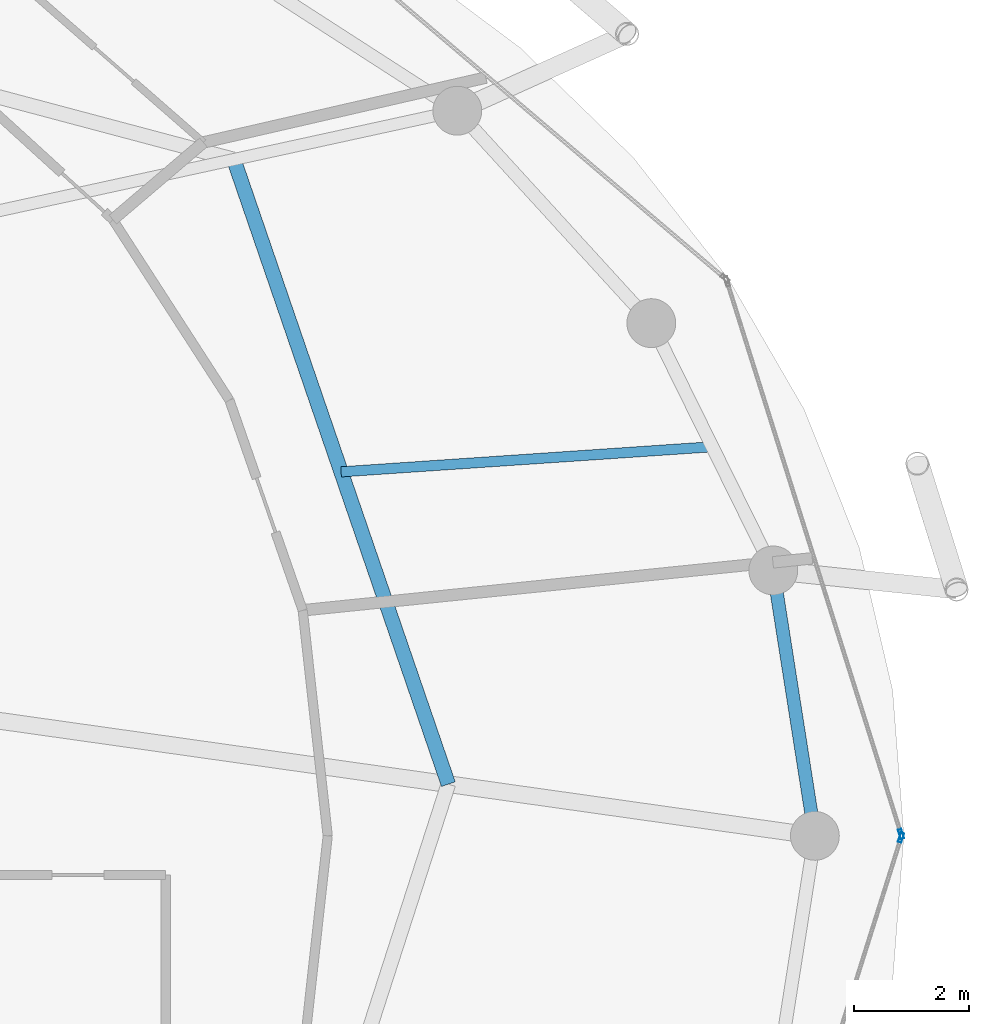
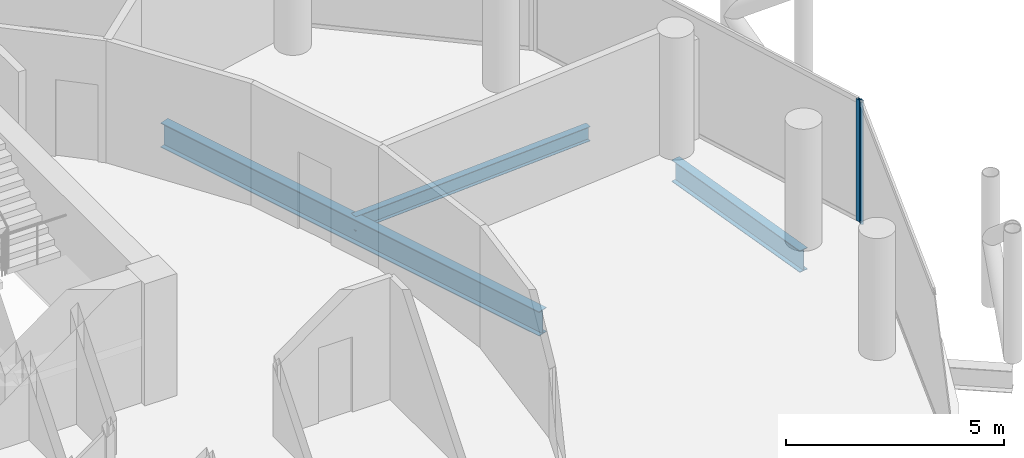
# One storey, part 15 of 27: 3 beams, 2 members, 2 elements without a shape of their own.
"""IFC4 building model written with IfcOpenShell, lengths in metres."""

import ifcopenshell
import ifcopenshell.guid

model = None  # the IFC model being written
_history = None  # IfcOwnerHistory: only IFC2X3 demands one
_inside = {}  # id of a spatial element -> (the spatial element, [elements in it])
_under = {}  # id of a project, library or spatial element -> (it, [spatial elements below it])
_declared = {}  # id of a project -> (the project, [libraries it declares])
_typed = {}  # id of a type object -> (the type object, [elements of that type])
_made_of = {}  # id of a material, layer set ... -> (it, [elements and type objects made of it])


def new_model(schema):
    """Start an empty IFC model of exactly this schema.

    Asked for "IFC4X3", IfcOpenShell would pick the latest addendum, in which some entities
    have other attributes; the version numbers below select the first issue.
    IFC2X3 requires an IfcOwnerHistory on every rooted entity: one is made here for all.
    """
    global model, _history
    if schema == "IFC4X3":
        model = ifcopenshell.file(schema_version=(4, 3, 0, 0))
    else:
        model = ifcopenshell.file(schema=schema)
    _inside.clear()
    _under.clear()
    _declared.clear()
    _typed.clear()
    _made_of.clear()
    _history = None
    if model.schema == "IFC2X3":
        org = make("IfcOrganization", Name="unknown")
        user = make(
            "IfcPersonAndOrganization",
            ThePerson=make("IfcPerson", FamilyName="unknown"),
            TheOrganization=org,
        )
        app = make(
            "IfcApplication",
            ApplicationDeveloper=org,
            Version="unknown",
            ApplicationFullName="unknown",
            ApplicationIdentifier="unknown",
        )
        _history = make(
            "IfcOwnerHistory",
            OwningUser=user,
            OwningApplication=app,
            ChangeAction="ADDED",
            CreationDate=0,
        )
    return model


def make(cls, **values):
    """One entity of the class cls with the attributes given. An attribute that is None is left unset."""
    return model.create_entity(
        cls, **{name: value for name, value in values.items() if value is not None}
    )


def rooted(cls, **values):
    """An entity with a GlobalId (a new one), such as an element, a storey or a relation."""
    return make(cls, GlobalId=ifcopenshell.guid.new(), OwnerHistory=_history, **values)


def si_unit(unit_type, name, prefix=None):
    """IfcSIUnit, for example si_unit("LENGTHUNIT", "METRE", prefix="MILLI")."""
    return make("IfcSIUnit", UnitType=unit_type, Prefix=prefix, Name=name)


def assignment(units):
    """IfcUnitAssignment: the units of a project."""
    return None if units is None else make("IfcUnitAssignment", Units=units)


def point(xyz):
    """IfcCartesianPoint."""
    return None if xyz is None else make("IfcCartesianPoint", Coordinates=xyz)


def direction(xyz):
    """IfcDirection."""
    return None if xyz is None else make("IfcDirection", DirectionRatios=xyz)


def frame(location, z_axis=None, x_axis=None):
    """IfcAxis2Placement3D, a coordinate frame: its origin and axes. An axis left out is left unset."""
    return make(
        "IfcAxis2Placement3D",
        Location=point(location),
        Axis=direction(z_axis),
        RefDirection=direction(x_axis),
    )


def frame_2d(location, x_axis=None):
    """IfcAxis2Placement2D, a coordinate frame in the plane: its origin and x axis."""
    return make(
        "IfcAxis2Placement2D", Location=point(location), RefDirection=direction(x_axis)
    )


def origin():
    """The frame at (0, 0, 0) with its axes left unset."""
    return frame((0.0, 0.0, 0.0))


def origin_2d():
    """The frame at (0, 0) in the plane with its x axis left unset."""
    return frame_2d((0.0, 0.0))


def place(relative_to, where):
    """IfcLocalPlacement: puts the frame where relative to a parent placement (None: the world)."""
    return make(
        "IfcLocalPlacement", PlacementRelTo=relative_to, RelativePlacement=where
    )


def context(
    kind, dimensions, precision=None, world=None, true_north=None, identifier=None
):
    """IfcGeometricRepresentationContext, for example the 3D "Model" context."""
    return make(
        "IfcGeometricRepresentationContext",
        ContextIdentifier=identifier,
        ContextType=kind,
        CoordinateSpaceDimension=dimensions,
        Precision=precision,
        WorldCoordinateSystem=world,
        TrueNorth=true_north,
    )


def subcontext(parent, identifier, kind, view, scale=None):
    """IfcGeometricRepresentationSubContext, for example "Body" below "Model"."""
    return make(
        "IfcGeometricRepresentationSubContext",
        ContextIdentifier=identifier,
        ContextType=kind,
        ParentContext=parent,
        TargetScale=scale,
        TargetView=view,
    )


def project(units=None, contexts=None):
    """IfcProject with its units and contexts."""
    return rooted(
        "IfcProject",
        Name="project",
        RepresentationContexts=contexts,
        UnitsInContext=assignment(units),
    )


def spatial(cls, under=None, at=None, **own):
    """A site, building, storey or space (cls), placed at a placement, below another one or the project."""
    s = rooted(cls, ObjectPlacement=at, **own)
    if under is not None:
        _under.setdefault(under.id(), (under, []))[1].append(s)
    return s


def profile(cls, at=None, kind="AREA", **sizes):
    """A parametric profile (cls). Its sizes go by their IFC names, for example OverallWidth=200.0."""
    return make(cls, ProfileType=kind, Position=at, **sizes)


def hollow_rectangle(**sizes):
    """IfcRectangleHollowProfileDef."""
    return profile("IfcRectangleHollowProfileDef", **sizes)


def i_section(**sizes):
    """IfcIShapeProfileDef."""
    return profile("IfcIShapeProfileDef", **sizes)


def extrude(swept, where, along, depth):
    """IfcExtrudedAreaSolid: the profile swept, set in the frame where, extruded along a direction by depth."""
    return make(
        "IfcExtrudedAreaSolid",
        SweptArea=swept,
        Position=where,
        ExtrudedDirection=direction(along),
        Depth=depth,
    )


def shape(context_of_items, identifier, shape_type, items):
    """IfcShapeRepresentation: the items that make up one representation, for example the "Body"."""
    return make(
        "IfcShapeRepresentation",
        ContextOfItems=context_of_items,
        RepresentationIdentifier=identifier,
        RepresentationType=shape_type,
        Items=items,
    )


def material(Name=None, Category=None):
    """IfcMaterial."""
    return make("IfcMaterial", Name=Name, Category=Category)


def layer(
    of_material, thickness, ventilated=None, Name=None, Category=None, Priority=None
):
    """IfcMaterialLayer: one layer of a wall or slab, of a material (None: an air gap)."""
    return make(
        "IfcMaterialLayer",
        Material=of_material,
        LayerThickness=thickness,
        IsVentilated=ventilated,
        Name=Name,
        Category=Category,
        Priority=Priority,
    )


def layer_set(layers, Name=None):
    """IfcMaterialLayerSet."""
    return make("IfcMaterialLayerSet", MaterialLayers=layers, LayerSetName=Name)


def material_profile(
    of_material, cross_section, Name=None, Category=None, Priority=None
):
    """IfcMaterialProfile: a cross section and its material."""
    return make(
        "IfcMaterialProfile",
        Name=Name,
        Material=of_material,
        Profile=cross_section,
        Priority=Priority,
        Category=Category,
    )


def profile_set(profiles, Name=None, composite=None):
    """IfcMaterialProfileSet."""
    return make(
        "IfcMaterialProfileSet",
        Name=Name,
        MaterialProfiles=profiles,
        CompositeProfile=composite,
    )


def made_of(thing, what):
    """Note that an element or type object is made of a material, layer set ...; save() writes the relation."""
    if what is not None:
        _made_of.setdefault(what.id(), (what, []))[1].append(thing)
    return thing


def type_object(cls, material=None, **own):
    """A type object (cls), such as IfcWallType, which elements share."""
    return made_of(rooted(cls, **own), material)


def element(
    cls,
    number,
    at=None,
    inside=None,
    cuts=None,
    type_object=None,
    material=None,
    context=None,
    identifier="Body",
    shape_type=None,
    held_by="IfcProductDefinitionShape",
    body=None,
    shapes=None,
    **own,
):
    """One element of the class cls, such as IfcWall. Its Tag is "e" and its number.

    at: its placement. inside: the storey or other place that contains it. cuts: it is an
    opening in that element (IfcRelVoidsElement). A single representation is given by context,
    identifier, shape_type and body (its items); several are given by shapes. held_by: the class
    of the entity that holds the representations. save() writes the other relations.
    """
    e = rooted(cls, Tag="e%d" % number, ObjectPlacement=at, **own)
    if body is not None:
        shapes = [shape(context, identifier, shape_type, body)]
    if shapes is not None:
        e.Representation = make(held_by, Representations=shapes)
    if inside is not None:
        _inside.setdefault(inside.id(), (inside, []))[1].append(e)
    if cuts is not None:
        rooted(
            "IfcRelVoidsElement", RelatingBuildingElement=cuts, RelatedOpeningElement=e
        )
    if type_object is not None:
        _typed.setdefault(type_object.id(), (type_object, []))[1].append(e)
    return made_of(e, material)


def aggregate(whole, parts):
    """IfcRelAggregates: a whole, such as a stair, and the parts it consists of."""
    return rooted("IfcRelAggregates", RelatingObject=whole, RelatedObjects=parts)


def save(model, path):
    """Write the relations noted so far, then the file.

    IfcRelAggregates (storeys below a building ...), IfcRelContainedInSpatialStructure (elements
    in a storey), IfcRelDefinesByType, IfcRelAssociatesMaterial and IfcRelDeclares: one each for
    every whole, place, type object, material and project.
    """
    for whole, parts in _under.values():
        aggregate(whole, parts)
    for where, things in _inside.values():
        rooted(
            "IfcRelContainedInSpatialStructure",
            RelatedElements=things,
            RelatingStructure=where,
        )
    for kind, things in _typed.values():
        rooted("IfcRelDefinesByType", RelatedObjects=things, RelatingType=kind)
    for what, things in _made_of.values():
        rooted("IfcRelAssociatesMaterial", RelatedObjects=things, RelatingMaterial=what)
    for by, libraries in _declared.values():
        rooted("IfcRelDeclares", RelatingContext=by, RelatedDefinitions=libraries)
    model.write(path)


model = new_model("IFC4")

# Units and contexts
model_context = context("Model", 3, precision=1e-05, world=origin(), true_north=direction((0.0, 1.0)))
body_context = subcontext(model_context, "Body", "Model", "MODEL_VIEW")
ifc_project = project(units=[si_unit("LENGTHUNIT", "METRE"), si_unit("AREAUNIT", "SQUARE_METRE"), si_unit("VOLUMEUNIT", "CUBIC_METRE"), si_unit("PLANEANGLEUNIT", "RADIAN"), si_unit("MASSUNIT", "GRAM", prefix="KILO")], contexts=[model_context])

# Site, building, storey
site_placement = place(None, origin())
site = spatial("IfcSite", under=ifc_project, at=site_placement, CompositionType="ELEMENT")
building_placement = place(site_placement, origin())
building = spatial("IfcBuilding", under=site, at=building_placement, Name="Nuhasar Tower", CompositionType="ELEMENT")
storey_placement = place(building_placement, frame((0.0, 0.0, 215.449951171875)))
storey = spatial("IfcBuildingStorey", under=building, at=storey_placement, Name="L52", CompositionType="ELEMENT", Elevation=215.449951171875)

# Beams
ifc_material_1 = material(Name="Steel S355", Category="steel")
ifc_material_profile_1 = material_profile(ifc_material_1, i_section(OverallWidth=0.25390625, OverallDepth=0.68408203125, WebThickness=0.012451171875, FlangeThickness=0.018798828125, at=origin_2d()), Name="W27X94")
ifc_profile_set_1 = profile_set([ifc_material_profile_1], Name="Steel S355")
beam_type_1 = type_object("IfcBeamType", Name="BM-INRING-W27X94", PredefinedType="BEAM", material=ifc_profile_set_1)
beam_1_placement = place(storey_placement, frame((53.8701171875, 27.699951171875, -0.58203125), z_axis=(-0.324809117642, 0.945779592239, 0.0), x_axis=(-0.945779592239, -0.324809117642, 0.0)))
element("IfcBeam", 1, at=beam_1_placement, inside=storey, type_object=beam_type_1, Name="L52 Inner Header Beam 04", PredefinedType="BEAM", context=body_context, shape_type="SweptSolid", body=[
    extrude(i_section(OverallWidth=0.25390625, OverallDepth=0.68408203125, WebThickness=0.012451171875, FlangeThickness=0.018798828125, at=origin_2d()), origin(), (0.0, 0.0, 1.0), 11.496337890625),
])
ifc_material_profile_2 = material_profile(ifc_material_1, i_section(OverallWidth=0.177978515625, OverallDepth=0.406005859375, WebThickness=0.0078125, FlangeThickness=0.0126953125, at=origin_2d()), Name="W16X40")
ifc_profile_set_2 = profile_set([ifc_material_profile_2], Name="Steel S355")
beam_type_2 = type_object("IfcBeamType", Name="BM-JST-W16X40", PredefinedType="JOIST", material=ifc_profile_set_2)
beam_2_placement = place(storey_placement, frame((52.0029296875, 33.135986328125, -0.44287109375), z_axis=(0.997721156568, 0.067472170095, 0.0), x_axis=(-0.067472170095, 0.997721156568, 0.0)))
element("IfcBeam", 2, at=beam_2_placement, inside=storey, type_object=beam_type_2, Name="L52 Secondary Floor Joist 04", PredefinedType="JOIST", context=body_context, shape_type="SweptSolid", body=[
    extrude(i_section(OverallWidth=0.177978515625, OverallDepth=0.406005859375, WebThickness=0.0078125, FlangeThickness=0.0126953125, at=origin_2d()), origin(), (0.0, 0.0, 1.0), 6.476806640625),
])
ifc_material_profile_3 = material_profile(ifc_material_1, i_section(OverallWidth=0.22802734375, OverallDepth=0.60791015625, WebThickness=0.01123046875, FlangeThickness=0.017333984375, at=origin_2d()), Name="W24X76")
ifc_profile_set_3 = profile_set([ifc_material_profile_3], Name="Steel S355")
beam_type_3 = type_object("IfcBeamType", Name="BM-RING-W24X76", PredefinedType="SPANDREL", material=ifc_profile_set_3)
beam_3_placement = place(storey_placement, frame((60.25, 26.800048828125, -0.5439453125), z_axis=(-0.154849872935, 0.987938012657, 0.0), x_axis=(-0.987938012657, -0.154849872935, 0.0)))
element("IfcBeam", 3, at=beam_3_placement, inside=storey, type_object=beam_type_3, Name="L52 Perimeter Ring Spandrel 01", PredefinedType="SPANDREL", context=body_context, shape_type="SweptSolid", body=[
    extrude(i_section(OverallWidth=0.22802734375, OverallDepth=0.60791015625, WebThickness=0.01123046875, FlangeThickness=0.017333984375, at=origin_2d()), origin(), (0.0, 0.0, 1.0), 4.67626953125),
])

# Curtain wall, member
ifc_material_2 = material(Name="Aluminium 6063-T6", Category="aluminium")
ifc_layer = layer(ifc_material_2, 0.18994140625)
ifc_layer_set = layer_set([ifc_layer], Name="Aluminium 6063-T6")
curtain_wall_type = type_object("IfcCurtainWallType", Name="CW-Z3-RES", PredefinedType="NOTDEFINED", material=ifc_layer_set)
curtain_wall_1_placement = place(storey_placement, origin())
curtain_wall_1 = element("IfcCurtainWall", 4, at=curtain_wall_1_placement, inside=storey, type_object=curtain_wall_type, Name="L52 Unitised Curtain Wall 01", PredefinedType="NOTDEFINED")
ifc_material_profile_4 = material_profile(ifc_material_2, hollow_rectangle(XDim=0.06494140625, YDim=0.169921875, WallThickness=0.0048828125, at=origin_2d()), Name="CWM-4")
ifc_profile_set_4 = profile_set([ifc_material_profile_4], Name="Aluminium 6063-T6")
member_type = type_object("IfcMemberType", Name="CW-MUL-S4", PredefinedType="MULLION", material=ifc_profile_set_4)
member_1_placement = place(storey_placement, frame((61.750244140625, 26.8310546875, 0.0), z_axis=(0.0, 0.0, 1.0), x_axis=(-0.95380429279, -0.30042864553, 0.0)))
member_1 = element("IfcMember", 5, at=member_1_placement, type_object=member_type, Name="CW-Z3 mullion 1", PredefinedType="MULLION", context=body_context, shape_type="SweptSolid", body=[
    extrude(hollow_rectangle(XDim=0.06494140625, YDim=0.169921875, WallThickness=0.0048828125, at=origin_2d()), origin(), (0.0, 0.0, 1.0), 3.41015625),
])
aggregate(curtain_wall_1, [member_1])

curtain_wall_2_placement = place(storey_placement, origin())
curtain_wall_2 = element("IfcCurtainWall", 6, at=curtain_wall_2_placement, inside=storey, type_object=curtain_wall_type, Name="L52 Unitised Curtain Wall 12", PredefinedType="NOTDEFINED")
member_2_placement = place(storey_placement, frame((61.750244140625, 26.76904296875, 0.0), z_axis=(0.0, 0.0, 1.0), x_axis=(-0.95380429279, 0.30042864553, 0.0)))
member_2 = element("IfcMember", 7, at=member_2_placement, type_object=member_type, Name="CW-Z3 mullion 2", PredefinedType="MULLION", context=body_context, shape_type="SweptSolid", body=[
    extrude(hollow_rectangle(XDim=0.06494140625, YDim=0.169921875, WallThickness=0.0048828125, at=origin_2d()), origin(), (0.0, 0.0, 1.0), 3.41015625),
])
aggregate(curtain_wall_2, [member_2])

save(model, "model.ifc")
